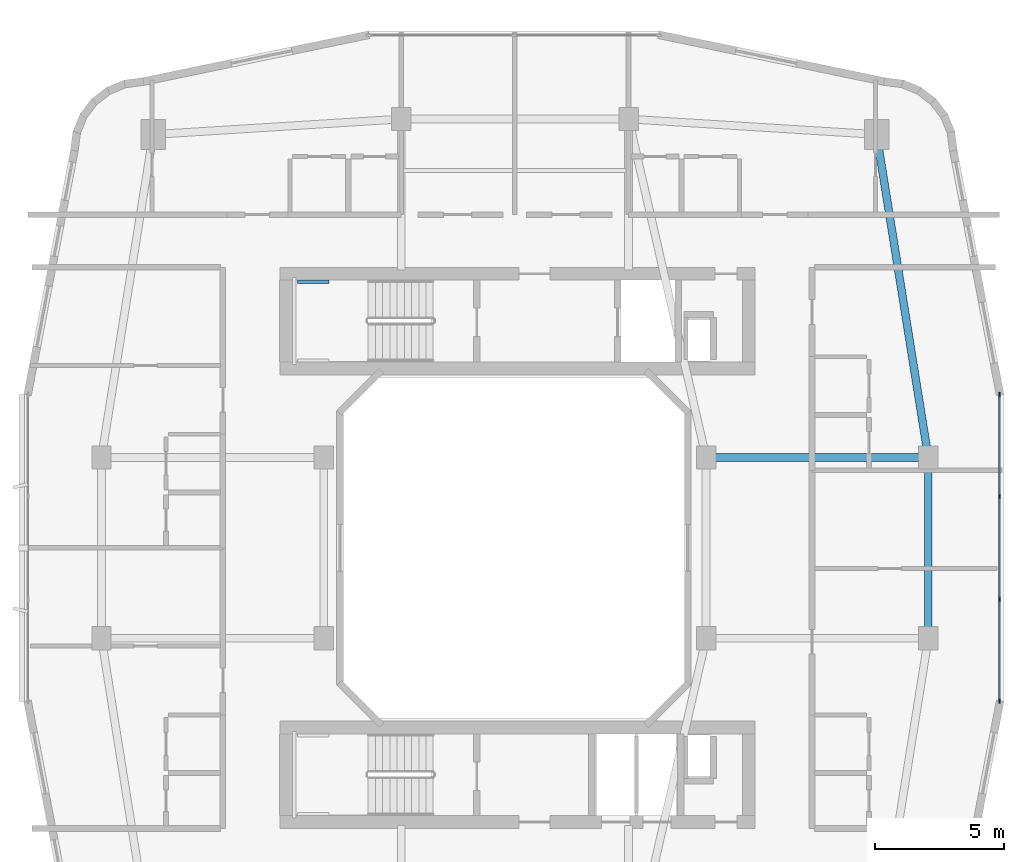
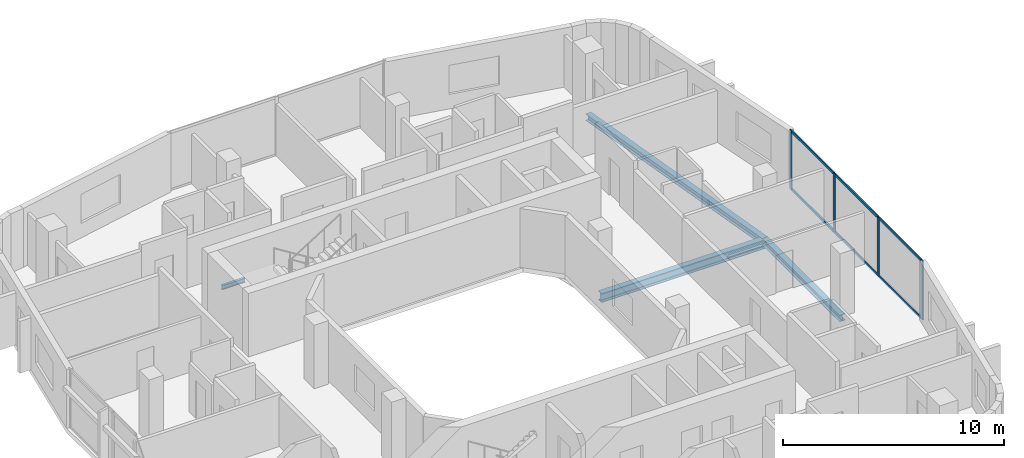
# One storey, part 10 of 26: 10 members, 4 beams, 1 element without a shape of its own.
"""IFC4 building model written with IfcOpenShell, lengths in metres."""

from ifc_helpers import new_model, si_unit, derived_unit, direction, frame, origin, origin_2d, place, context, subcontext, project, spatial, rectangle, i_section, extrude, material, layer, layer_set, material_profile, profile_set, type_object, element, aggregate, save


model = new_model("IFC4")

# Units and contexts
model_context = context("Model", 3, precision=1e-05, world=origin(), true_north=direction((0.0, 1.0)))
body_context = subcontext(model_context, "Body", "Model", "MODEL_VIEW")
ifc_project = project(units=[si_unit("LENGTHUNIT", "METRE"), si_unit("AREAUNIT", "SQUARE_METRE"), si_unit("VOLUMEUNIT", "CUBIC_METRE"), si_unit("PLANEANGLEUNIT", "RADIAN"), si_unit("MASSUNIT", "GRAM", prefix="KILO"), derived_unit("THERMALTRANSMITTANCEUNIT", [(si_unit("POWERUNIT", "WATT"), 1), (si_unit("LENGTHUNIT", "METRE"), -2), (si_unit("THERMODYNAMICTEMPERATUREUNIT", "KELVIN"), -1)])], contexts=[model_context])

# Site, building, storey
site_placement = place(None, origin())
site = spatial("IfcSite", under=ifc_project, at=site_placement, CompositionType="ELEMENT")
building_placement = place(site_placement, origin())
building = spatial("IfcBuilding", under=site, at=building_placement, Name="Kivonza Crest Hotel", CompositionType="ELEMENT")
storey_placement = place(building_placement, frame((0.0, 0.0, 66.0)))
storey = spatial("IfcBuildingStorey", under=building, at=storey_placement, Name="L17", CompositionType="ELEMENT", Elevation=66.0)

# Beams
ifc_material_1 = material(Name="Steel S355", Category="steel")
ifc_material_profile_1 = material_profile(ifc_material_1, i_section(OverallWidth=0.300048828125, OverallDepth=0.360107421875, WebThickness=0.012451171875, FlangeThickness=0.0224609375, FilletRadius=0.027099609375, at=origin_2d()), Name="HEB 360")
ifc_profile_set_1 = profile_set([ifc_material_profile_1], Name="Steel S355")
beam_type_1 = type_object("IfcBeamType", Name="BM-HEB360", PredefinedType="SPANDREL", material=ifc_profile_set_1)
beam_1_placement = place(storey_placement, frame((93.0, 21.5, -0.429931640625), z_axis=(0.0, 1.0, 0.0), x_axis=(-1.0, 0.0, 0.0)))
element("IfcBeam", 1, at=beam_1_placement, inside=storey, type_object=beam_type_1, Name="Companion Tower T2 L17 perimeter spandrel E1-E2", PredefinedType="SPANDREL", context=body_context, shape_type="SweptSolid", body=[
    extrude(i_section(OverallWidth=0.300048828125, OverallDepth=0.360107421875, WebThickness=0.012451171875, FlangeThickness=0.0224609375, FilletRadius=0.027099609375, at=origin_2d()), origin(), (0.0, 0.0, 1.0), 7.0),
])
beam_2_placement = place(storey_placement, frame((93.0, 28.5, -0.429931640625), z_axis=(-0.157990501107, 0.987440631917, 0.0), x_axis=(-0.987440631917, -0.157990501107, 0.0)))
element("IfcBeam", 2, at=beam_2_placement, inside=storey, type_object=beam_type_1, Name="Companion Tower T2 L17 perimeter spandrel E2-NE", PredefinedType="SPANDREL", context=body_context, shape_type="SweptSolid", body=[
    extrude(i_section(OverallWidth=0.300048828125, OverallDepth=0.360107421875, WebThickness=0.012451171875, FlangeThickness=0.0224609375, FilletRadius=0.027099609375, at=origin_2d()), origin(), (0.0, 0.0, 1.0), 12.658935546875),
])
ifc_material_profile_2 = material_profile(ifc_material_1, i_section(OverallWidth=0.300048828125, OverallDepth=0.5, WebThickness=0.014404296875, FlangeThickness=0.028076171875, FilletRadius=0.027099609375, at=origin_2d()), Name="HEB 500")
ifc_profile_set_2 = profile_set([ifc_material_profile_2], Name="Steel S355")
beam_type_2 = type_object("IfcBeamType", Name="BM-HEB500", PredefinedType="BEAM", material=ifc_profile_set_2)
beam_3_placement = place(storey_placement, frame((84.39990234375, 28.5, -0.5), z_axis=(1.0, 0.0, 0.0), x_axis=(0.0, 1.0, 0.0)))
element("IfcBeam", 3, at=beam_3_placement, inside=storey, type_object=beam_type_2, Name="Companion Tower T2 L17 girder WR2-E2", PredefinedType="BEAM", context=body_context, shape_type="SweptSolid", body=[
    extrude(i_section(OverallWidth=0.300048828125, OverallDepth=0.5, WebThickness=0.014404296875, FlangeThickness=0.028076171875, FilletRadius=0.027099609375, at=origin_2d()), origin(), (0.0, 0.0, 1.0), 8.60009765625),
])
ifc_material_profile_3 = material_profile(ifc_material_1, i_section(OverallWidth=0.1201171875, OverallDepth=0.239990234375, WebThickness=0.006103515625, FlangeThickness=0.009765625, FilletRadius=0.014892578125, at=origin_2d()), Name="IPE 240")
ifc_profile_set_3 = profile_set([ifc_material_profile_3], Name="Steel S355")
beam_type_3 = type_object("IfcBeamType", Name="BM-LLDG-240", PredefinedType="BEAM", material=ifc_profile_set_3)
beam_4_placement = place(storey_placement, frame((68.590087890625, 35.300048828125, 1.429931640625), z_axis=(1.0, 0.0, 0.0), x_axis=(0.0, 1.0, 0.0)))
element("IfcBeam", 4, at=beam_4_placement, inside=storey, type_object=beam_type_3, Name="Stair ST-T2-N L17 North landing corbel", PredefinedType="BEAM", context=body_context, shape_type="SweptSolid", body=[
    extrude(i_section(OverallWidth=0.1201171875, OverallDepth=0.239990234375, WebThickness=0.006103515625, FlangeThickness=0.009765625, FilletRadius=0.014892578125, at=origin_2d()), origin(), (0.0, 0.0, 1.0), 1.2099609375),
])

# Curtain wall, members
ifc_material_2 = material(Name="Anodised bronze aluminium and low-E double glazing", Category="aluminium")
ifc_layer = layer(ifc_material_2, 0.179931640625)
ifc_layer_set = layer_set([ifc_layer], Name="Anodised bronze aluminium and low-E double glazing")
curtain_wall_type = type_object("IfcCurtainWallType", Name="CW-SYS-4", PredefinedType="NOTDEFINED", material=ifc_layer_set)
curtain_wall_placement = place(storey_placement, origin())
curtain_wall = element("IfcCurtainWall", 5, at=curtain_wall_placement, inside=storey, type_object=curtain_wall_type, Name="L17 unitised curtain wall CW-T2-L17-17", PredefinedType="NOTDEFINED")
ifc_material_3 = material(Name="Anodised bronze aluminium", Category="aluminium")
ifc_material_profile_4 = material_profile(ifc_material_3, rectangle(XDim=0.06494140625, YDim=0.179931640625, at=origin_2d()), Name="CW-M 65x180")
ifc_profile_set_4 = profile_set([ifc_material_profile_4], Name="Anodised bronze aluminium")
member_type_1 = type_object("IfcMemberType", Name="CW-MUL-65x180", PredefinedType="MULLION", material=ifc_profile_set_4)
member_1_placement = place(storey_placement, frame((95.760009765625, 19.072509765625, 0.0), z_axis=(0.0, 0.0, 1.0), x_axis=(-1.0, 0.0, 0.0)))
member_1 = element("IfcMember", 6, at=member_1_placement, type_object=member_type_1, Name="CW-4 mullion 1", PredefinedType="MULLION", context=body_context, shape_type="SweptSolid", body=[
    extrude(rectangle(XDim=0.06494140625, YDim=0.179931640625, at=origin_2d()), origin(), (0.0, 0.0, 1.0), 3.25),
])
member_2_placement = place(storey_placement, frame((95.760009765625, 23.013427734375, 0.0), z_axis=(0.0, 0.0, 1.0), x_axis=(-1.0, 0.0, 0.0)))
member_2 = element("IfcMember", 7, at=member_2_placement, type_object=member_type_1, Name="CW-4 mullion 2", PredefinedType="MULLION", context=body_context, shape_type="SweptSolid", body=[
    extrude(rectangle(XDim=0.06494140625, YDim=0.179931640625, at=origin_2d()), origin(), (0.0, 0.0, 1.0), 3.25),
])
member_3_placement = place(storey_placement, frame((95.760009765625, 26.986572265625, 0.0), z_axis=(0.0, 0.0, 1.0), x_axis=(-1.0, 0.0, 0.0)))
member_3 = element("IfcMember", 8, at=member_3_placement, type_object=member_type_1, Name="CW-4 mullion 3", PredefinedType="MULLION", context=body_context, shape_type="SweptSolid", body=[
    extrude(rectangle(XDim=0.06494140625, YDim=0.179931640625, at=origin_2d()), origin(), (0.0, 0.0, 1.0), 3.25),
])
member_4_placement = place(storey_placement, frame((95.760009765625, 30.927490234375, 0.0), z_axis=(0.0, 0.0, 1.0), x_axis=(-1.0, 0.0, 0.0)))
member_4 = element("IfcMember", 9, at=member_4_placement, type_object=member_type_1, Name="CW-4 mullion 4", PredefinedType="MULLION", context=body_context, shape_type="SweptSolid", body=[
    extrude(rectangle(XDim=0.06494140625, YDim=0.179931640625, at=origin_2d()), origin(), (0.0, 0.0, 1.0), 3.25),
])
ifc_material_profile_5 = material_profile(ifc_material_3, rectangle(XDim=0.06494140625, YDim=0.139892578125, at=origin_2d()), Name="CW-T 65x140")
ifc_profile_set_5 = profile_set([ifc_material_profile_5], Name="Anodised bronze aluminium")
member_type_2 = type_object("IfcMemberType", Name="CW-TRN-65x140", PredefinedType="USERDEFINED", material=ifc_profile_set_5)
member_5_placement = place(storey_placement, frame((95.760009765625, 19.10498046875, 0.032470703125), z_axis=(0.0, 1.0, 0.0), x_axis=(-1.0, 0.0, 0.0)))
member_5 = element("IfcMember", 10, at=member_5_placement, type_object=member_type_2, Name="CW-4 transom 1.1", ObjectType="TRANSOM", PredefinedType="USERDEFINED", context=body_context, shape_type="SweptSolid", body=[
    extrude(rectangle(XDim=0.06494140625, YDim=0.139892578125, at=origin_2d()), origin(), (0.0, 0.0, 1.0), 3.875732421875),
])
member_6_placement = place(storey_placement, frame((95.760009765625, 19.10498046875, 3.217529296875), z_axis=(0.0, 1.0, 0.0), x_axis=(-1.0, 0.0, 0.0)))
member_6 = element("IfcMember", 11, at=member_6_placement, type_object=member_type_2, Name="CW-4 transom 1.2", ObjectType="TRANSOM", PredefinedType="USERDEFINED", context=body_context, shape_type="SweptSolid", body=[
    extrude(rectangle(XDim=0.06494140625, YDim=0.139892578125, at=origin_2d()), origin(), (0.0, 0.0, 1.0), 3.875732421875),
])
member_7_placement = place(storey_placement, frame((95.760009765625, 23.0458984375, 0.032470703125), z_axis=(0.0, 1.0, 0.0), x_axis=(-1.0, 0.0, 0.0)))
member_7 = element("IfcMember", 12, at=member_7_placement, type_object=member_type_2, Name="CW-4 transom 2.1", ObjectType="TRANSOM", PredefinedType="USERDEFINED", context=body_context, shape_type="SweptSolid", body=[
    extrude(rectangle(XDim=0.06494140625, YDim=0.139892578125, at=origin_2d()), origin(), (0.0, 0.0, 1.0), 3.908203125),
])
member_8_placement = place(storey_placement, frame((95.760009765625, 23.0458984375, 3.217529296875), z_axis=(0.0, 1.0, 0.0), x_axis=(-1.0, 0.0, 0.0)))
member_8 = element("IfcMember", 13, at=member_8_placement, type_object=member_type_2, Name="CW-4 transom 2.2", ObjectType="TRANSOM", PredefinedType="USERDEFINED", context=body_context, shape_type="SweptSolid", body=[
    extrude(rectangle(XDim=0.06494140625, YDim=0.139892578125, at=origin_2d()), origin(), (0.0, 0.0, 1.0), 3.908203125),
])
member_9_placement = place(storey_placement, frame((95.760009765625, 27.019287109375, 0.032470703125), z_axis=(0.0, 1.0, 0.0), x_axis=(-1.0, 0.0, 0.0)))
member_9 = element("IfcMember", 14, at=member_9_placement, type_object=member_type_2, Name="CW-4 transom 3.1", ObjectType="TRANSOM", PredefinedType="USERDEFINED", context=body_context, shape_type="SweptSolid", body=[
    extrude(rectangle(XDim=0.06494140625, YDim=0.139892578125, at=origin_2d()), origin(), (0.0, 0.0, 1.0), 3.875732421875),
])
member_10_placement = place(storey_placement, frame((95.760009765625, 27.019287109375, 3.217529296875), z_axis=(0.0, 1.0, 0.0), x_axis=(-1.0, 0.0, 0.0)))
member_10 = element("IfcMember", 15, at=member_10_placement, type_object=member_type_2, Name="CW-4 transom 3.2", ObjectType="TRANSOM", PredefinedType="USERDEFINED", context=body_context, shape_type="SweptSolid", body=[
    extrude(rectangle(XDim=0.06494140625, YDim=0.139892578125, at=origin_2d()), origin(), (0.0, 0.0, 1.0), 3.875732421875),
])
aggregate(curtain_wall, [member_1, member_2, member_3, member_4, member_5, member_6, member_7, member_8, member_9, member_10])

save(model, "model.ifc")
